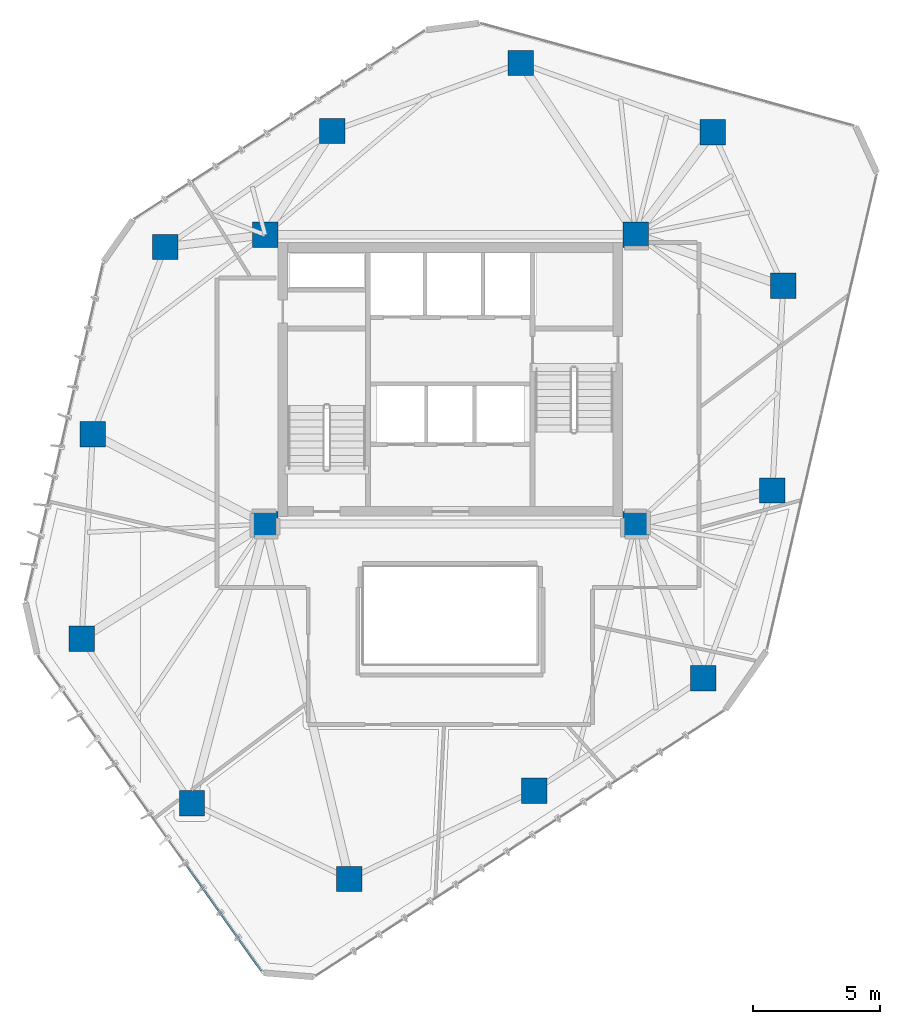
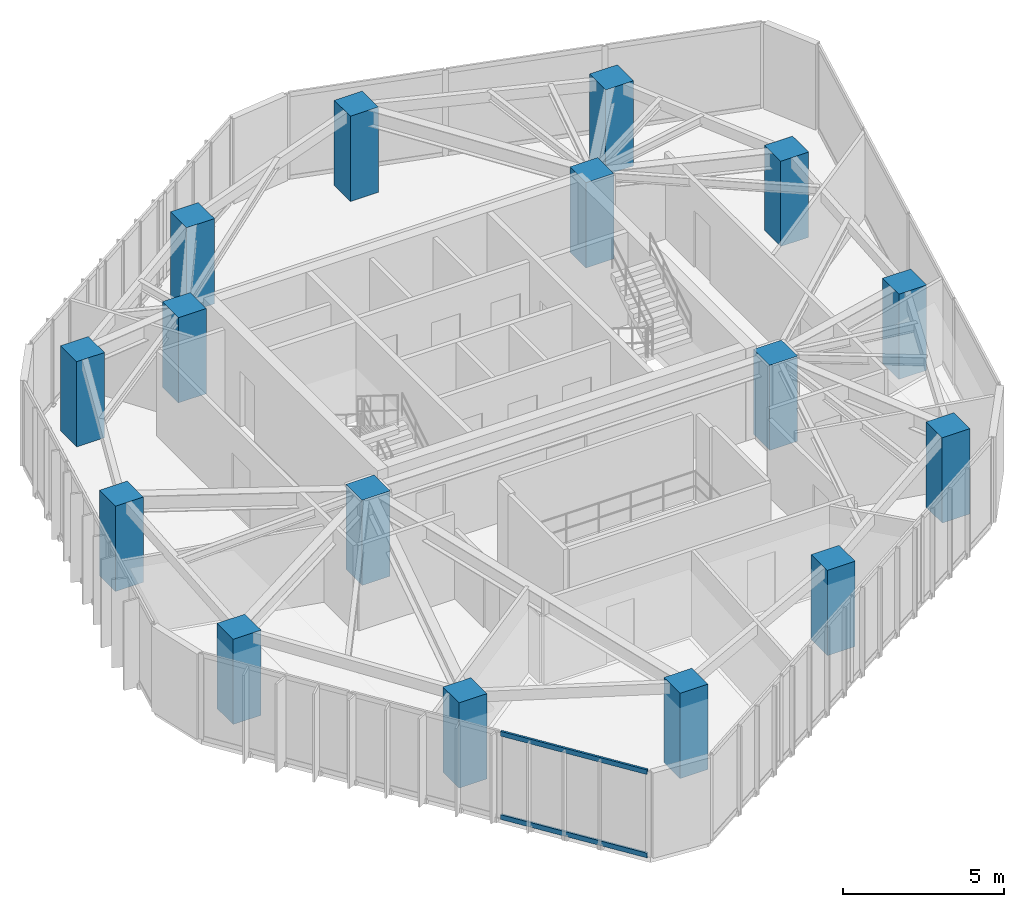
# One storey, part 1 of 18: 16 columns, 2 members, 1 element without a shape of its own.
"""IFC4 building model written with IfcOpenShell, lengths in metres."""

from ifc_helpers import new_model, si_unit, direction, frame, origin, origin_2d, place, context, subcontext, project, spatial, rectangle, hollow_rectangle, extrude, source, transform, mapped, material, layer, layer_set, material_profile, profile_set, type_object, type_shapes, element, aggregate, save


model = new_model("IFC4")

# Units and contexts
model_context = context("Model", 3, precision=1e-05, world=origin(), true_north=direction((0.0, 1.0)))
body_context = subcontext(model_context, "Body", "Model", "MODEL_VIEW")
ifc_project = project(units=[si_unit("LENGTHUNIT", "METRE"), si_unit("AREAUNIT", "SQUARE_METRE"), si_unit("VOLUMEUNIT", "CUBIC_METRE"), si_unit("PLANEANGLEUNIT", "RADIAN"), si_unit("MASSUNIT", "GRAM", prefix="KILO")], contexts=[model_context])

# Site, building, storey
site_placement = place(None, origin())
site = spatial("IfcSite", under=ifc_project, at=site_placement, CompositionType="ELEMENT")
building_placement = place(site_placement, origin())
building = spatial("IfcBuilding", under=site, at=building_placement, Name="Talar Marvaseh", CompositionType="ELEMENT")
storey_placement = place(building_placement, frame((0.0, 0.0, 188.0)))
storey = spatial("IfcBuildingStorey", under=building, at=storey_placement, Name="L49", CompositionType="ELEMENT", Elevation=188.0)

# Columns
ifc_material_1 = material(Name="Concrete C60/75", Category="concrete")
ifc_material_profile_1 = material_profile(ifc_material_1, rectangle(XDim=1.0, YDim=1.0, at=origin_2d()), Name="RC1000x1000")
ifc_profile_set_1 = profile_set([ifc_material_profile_1], Name="Concrete C60/75")
column_type = type_object("IfcColumnType", Name="Zone 3 Tube Column RC1000x1000", PredefinedType="COLUMN", material=ifc_profile_set_1)
for number, where, z_axis, x_axis, name in (
    (1, (28.76611328125, 43.66796875, 0.0), (0.0, 0.0, 1.0), (1.0, 0.0, 0.0), "L49 Zone 3 Tube Column RC1000x1000"),
    (2, (36.341064453125, 40.94189453125, 0.0), (0.0, 0.0, 1.0), (1.0, 0.0, 0.0), "L49 Zone 3 Tube Column RC1000x1000"),
    (3, (39.113037109375, 34.884033203125, 0.0), (0.0, 0.0, 1.0), (1.0, 0.0, 0.0), "L49 Zone 3 Tube Column RC1000x1000"),
    (4, (38.68896484375, 26.823974609375, 0.0), (0.0, 0.0, 1.0), (1.0, 0.0, 0.0), "L49 Zone 3 Tube Column RC1000x1000"),
    (5, (35.970947265625, 19.423095703125, 0.0), (0.0, 0.0, 1.0), (1.0, 0.0, 0.0), "L49 Zone 3 Tube Column RC1000x1000"),
    (6, (29.299072265625, 14.993896484375, 0.0), (0.0, 0.0, 1.0), (1.0, 0.0, 0.0), "L49 Zone 3 Tube Column RC1000x1000"),
    (7, (22.014892578125, 11.51904296875, 0.0), (0.0, 0.0, 1.0), (1.0, 0.0, 0.0), "L49 Zone 3 Tube Column RC1000x1000"),
    (8, (15.819091796875, 14.5009765625, 0.0), (0.0, 0.0, 1.0), (1.0, 0.0, 0.0), "L49 Zone 3 Tube Column RC1000x1000"),
    (9, (11.471923828125, 20.986083984375, 0.0), (0.0, 0.0, 1.0), (1.0, 0.0, 0.0), "L49 Zone 3 Tube Column RC1000x1000"),
    (10, (11.908935546875, 29.044921875, 0.0), (0.0, 0.0, 1.0), (1.0, 0.0, 0.0), "L49 Zone 3 Tube Column RC1000x1000"),
    (11, (14.77294921875, 36.416015625, 0.0), (0.0, 0.0, 1.0), (1.0, 0.0, 0.0), "L49 Zone 3 Tube Column RC1000x1000"),
    (12, (21.35205078125, 40.986083984375, 0.0), (0.0, 0.0, 1.0), (1.0, 0.0, 0.0), "L49 Zone 3 Tube Column RC1000x1000"),
    (13, (18.699951171875, 25.5, 0.0), (0.0, 0.0, 1.0), (1.0, 0.0, 0.0), "L49 Zone 3 Tube Column RC1000x1000"),
    (14, (33.300048828125, 25.5, 0.0), (0.0, 0.0, 1.0), (1.0, 0.0, 0.0), "L49 Zone 3 Tube Column RC1000x1000"),
    (15, (33.300048828125, 36.89990234375, 0.0), (0.0, 0.0, 1.0), (1.0, 0.0, 0.0), "L49 Zone 3 Tube Column RC1000x1000"),
    (16, (18.699951171875, 36.89990234375, 0.0), (0.0, 0.0, 1.0), (1.0, 0.0, 0.0), "L49 Zone 3 Tube Column RC1000x1000"),
):
    element("IfcColumn", number, at=place(storey_placement, frame(where, z_axis=z_axis, x_axis=x_axis)), inside=storey, type_object=column_type, Name=name, PredefinedType="COLUMN", context=body_context, shape_type="SweptSolid", body=[
        extrude(rectangle(XDim=1.0, YDim=1.0, at=origin_2d()), origin(), (0.0, 0.0, 1.0), 3.22998046875),
    ])

# Curtain wall, members
ifc_material_2 = material(Name="Architectural Aluminium", Category="aluminium")
ifc_layer = layer(ifc_material_2, 0.18994140625)
ifc_layer_set = layer_set([ifc_layer], Name="Architectural Aluminium")
curtain_wall_type = type_object("IfcCurtainWallType", Name="Unitised Solar Atelier Curtain Wall Z3", PredefinedType="NOTDEFINED", material=ifc_layer_set)
curtain_wall_placement = place(storey_placement, origin())
curtain_wall = element("IfcCurtainWall", 17, at=curtain_wall_placement, inside=storey, type_object=curtain_wall_type, Name="L49 Unitised Solar Atelier Curtain Wall Z3", PredefinedType="NOTDEFINED")
ifc_material_profile_2 = material_profile(ifc_material_2, hollow_rectangle(XDim=0.074951171875, YDim=0.179931640625, WallThickness=0.0048828125, at=origin_2d()), Name="RHS180x75x5")
ifc_profile_set_2 = profile_set([ifc_material_profile_2], Name="Architectural Aluminium")
member_type = type_object("IfcMemberType", Name="Unitised Curtain Wall Transom RHS180x75x5", PredefinedType="USERDEFINED", material=ifc_profile_set_2)
shared_shape = source(origin(), body_context, "Body", "SweptSolid", [
    extrude(hollow_rectangle(XDim=0.074951171875, YDim=0.179931640625, WallThickness=0.0048828125, at=origin_2d()), origin(), (0.0, 0.0, 1.0), 5.000732421875),
])
type_shapes(member_type, [shared_shape])
member_1_placement = place(storey_placement, frame((18.5537109375, 7.9013671875, 0.03759765625), z_axis=(-0.578533320755, 0.815658750199, 0.0), x_axis=(-0.815658750199, -0.578533320755, 0.0)))
member_1 = element("IfcMember", 18, at=member_1_placement, type_object=member_type, Name="CW-Z3 transom 1.1", ObjectType="TRANSOM", PredefinedType="USERDEFINED", context=body_context, shape_type="MappedRepresentation", body=[
    mapped(shared_shape, transform((0.0, 0.0, 0.0), x_axis=(1.0, 0.0, 0.0), y_axis=(0.0, 1.0, 0.0), z_axis=(0.0, 0.0, 1.0), scale=1.0)),
])
member_2_placement = place(storey_placement, frame((18.5537109375, 7.9013671875, 3.1923828125), z_axis=(-0.578533320755, 0.815658750199, 0.0), x_axis=(-0.815658750199, -0.578533320755, 0.0)))
member_2 = element("IfcMember", 19, at=member_2_placement, type_object=member_type, Name="CW-Z3 transom 1.2", ObjectType="TRANSOM", PredefinedType="USERDEFINED", context=body_context, shape_type="MappedRepresentation", body=[
    mapped(shared_shape, transform((0.0, 0.0, 0.0), x_axis=(1.0, 0.0, 0.0), y_axis=(0.0, 1.0, 0.0), z_axis=(0.0, 0.0, 1.0), scale=1.0)),
])
aggregate(curtain_wall, [member_1, member_2])

save(model, "model.ifc")
